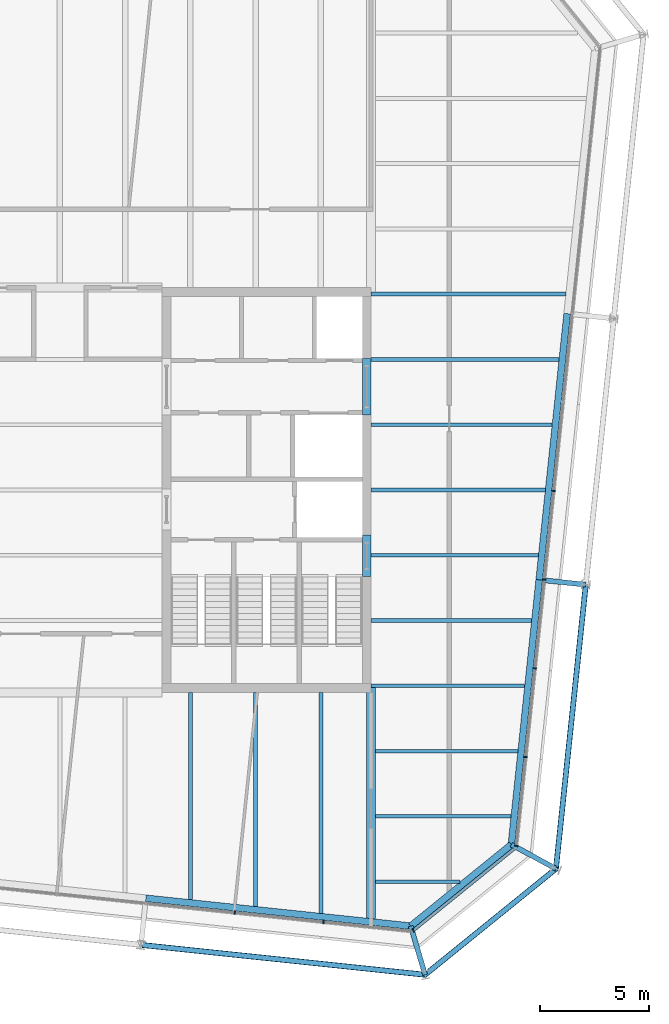
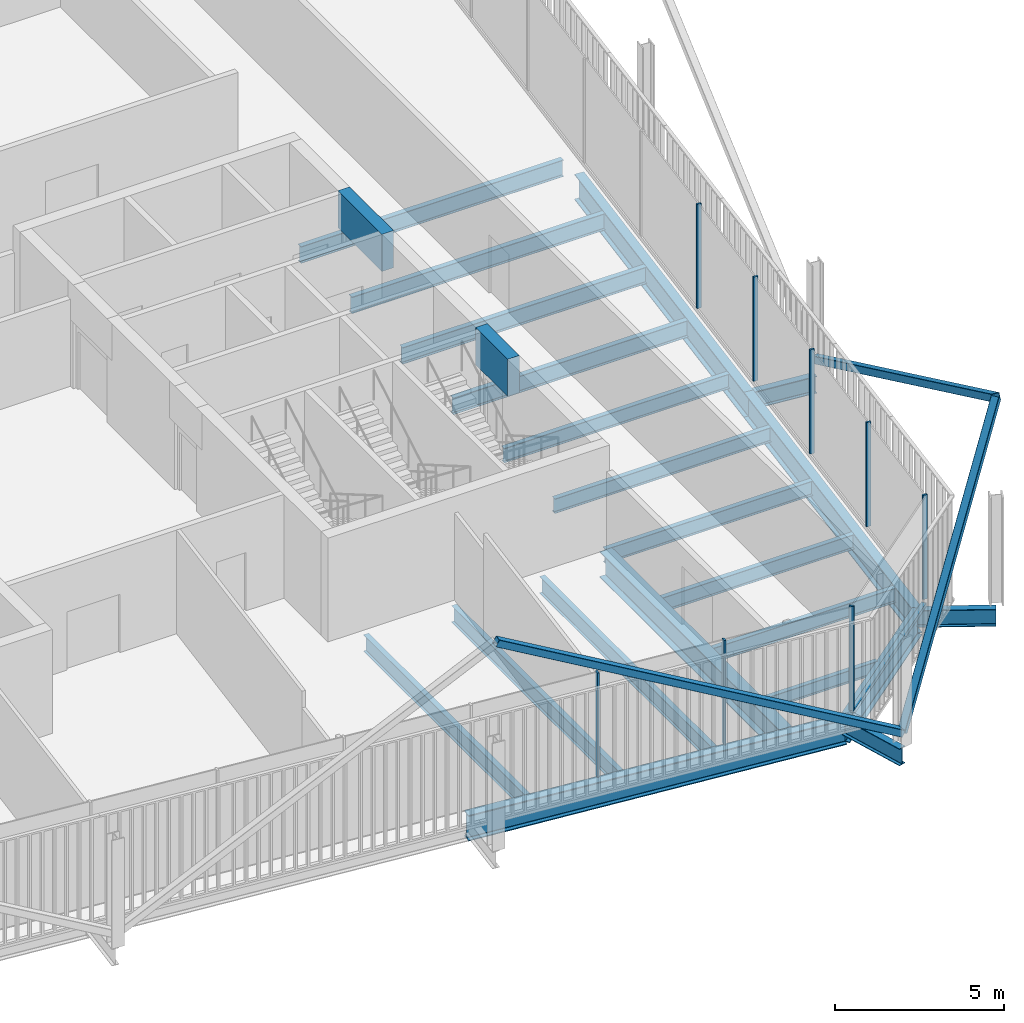
# One storey, part 9 of 21: 23 beams, 12 members, 3 elements without a shape of their own.
"""IFC4 building model written with IfcOpenShell, lengths in metres."""

from ifc_helpers import new_model, si_unit, direction, frame, origin, origin_2d, place, context, subcontext, project, spatial, rectangle, hollow_rectangle, i_section, extrude, material, layer, layer_set, material_profile, profile_set, type_object, element, aggregate, save


model = new_model("IFC4")

# Units and contexts
model_context = context("Model", 3, precision=1e-05, world=origin(), true_north=direction((0.0, 1.0)))
body_context = subcontext(model_context, "Body", "Model", "MODEL_VIEW")
ifc_project = project(units=[si_unit("LENGTHUNIT", "METRE"), si_unit("AREAUNIT", "SQUARE_METRE"), si_unit("VOLUMEUNIT", "CUBIC_METRE"), si_unit("PLANEANGLEUNIT", "RADIAN"), si_unit("MASSUNIT", "GRAM", prefix="KILO")], contexts=[model_context])

# Site, building, storey
site_placement = place(None, origin())
site = spatial("IfcSite", under=ifc_project, at=site_placement, CompositionType="ELEMENT")
building_placement = place(site_placement, origin())
building = spatial("IfcBuilding", under=site, at=building_placement, Name="Millrace Tower", CompositionType="ELEMENT")
storey_placement = place(building_placement, frame((0.0, 0.0, 291.60009765625)))
storey = spatial("IfcBuildingStorey", under=building, at=storey_placement, Name="L67", CompositionType="ELEMENT", Elevation=291.60009765625)

# Curtain wall, members
ifc_material_1 = material(Name="Aluminium and glass", Category="aluminium")
ifc_layer = layer(ifc_material_1, 0.14990234375)
ifc_layer_set = layer_set([ifc_layer], Name="Aluminium and glass")
curtain_wall_type = type_object("IfcCurtainWallType", Name="CW-1 office vision curtain wall", PredefinedType="NOTDEFINED", material=ifc_layer_set)
placement = place(storey_placement, origin())
curtain_wall_1 = element("IfcCurtainWall", 1, at=placement, inside=storey, type_object=curtain_wall_type, Name="Curtain wall E-F02 L67", PredefinedType="NOTDEFINED")
ifc_material_2 = material(Name="Aluminium", Category="aluminium")
ifc_material_profile_1 = material_profile(ifc_material_2, rectangle(XDim=0.06494140625, YDim=0.14990234375, at=origin_2d()))
ifc_profile_set_1 = profile_set([ifc_material_profile_1], Name="Aluminium")
member_type_1 = type_object("IfcMemberType", Name="CW-1 office vision curtain wall mullion", PredefinedType="MULLION", material=ifc_profile_set_1)
member_1_placement = place(storey_placement, frame((8.040283203125, -19.4248046875, 0.139892578125), z_axis=(0.0, 0.0, 1.0), x_axis=(0.994521896217, -0.104528455196, 0.0)))
member_1 = element("IfcMember", 2, at=member_1_placement, type_object=member_type_1, Name="CW1 mullion E-F02.8", PredefinedType="MULLION", context=body_context, shape_type="SweptSolid", body=[
    extrude(rectangle(XDim=0.06494140625, YDim=0.14990234375, at=origin_2d()), origin(), (0.0, 0.0, 1.0), 3.760009765625),
])
member_2_placement = place(storey_placement, frame((12.117919921875, -19.853271484375, 0.139892578125), z_axis=(0.0, 0.0, 1.0), x_axis=(0.994521896217, -0.104528455196, 0.0)))
member_2 = element("IfcMember", 3, at=member_2_placement, type_object=member_type_1, Name="CW1 mullion E-F02.9", PredefinedType="MULLION", context=body_context, shape_type="SweptSolid", body=[
    extrude(rectangle(XDim=0.06494140625, YDim=0.14990234375, at=origin_2d()), origin(), (0.0, 0.0, 1.0), 3.760009765625),
])
aggregate(curtain_wall_1, [member_1, member_2])

# Curtain wall, member
curtain_wall_2 = element("IfcCurtainWall", 4, at=placement, inside=storey, type_object=curtain_wall_type, Name="Curtain wall E-F03 L67", PredefinedType="NOTDEFINED")
member_3_placement = place(storey_placement, frame((16.243408203125, -20.24169921875, 0.139892578125), z_axis=(0.0, 0.0, 1.0), x_axis=(0.777146052237, 0.629320278945, 0.0)))
member_3 = element("IfcMember", 5, at=member_3_placement, type_object=member_type_1, Name="CW1 mullion E-F03.1", PredefinedType="MULLION", context=body_context, shape_type="SweptSolid", body=[
    extrude(rectangle(XDim=0.06494140625, YDim=0.14990234375, at=origin_2d()), origin(), (0.0, 0.0, 1.0), 3.760009765625),
])

# Curtain wall, members
curtain_wall_3 = element("IfcCurtainWall", 6, at=placement, inside=storey, type_object=curtain_wall_type, Name="Curtain wall E-F04 L67", PredefinedType="NOTDEFINED")
member_4_placement = place(storey_placement, frame((20.974853515625, -16.3525390625, 0.139892578125), z_axis=(0.0, 0.0, 1.0), x_axis=(0.104528455196, 0.994521896217, 0.0)))
member_4 = element("IfcMember", 7, at=member_4_placement, type_object=member_type_1, Name="CW1 mullion E-F04.1", PredefinedType="MULLION", context=body_context, shape_type="SweptSolid", body=[
    extrude(rectangle(XDim=0.06494140625, YDim=0.14990234375, at=origin_2d()), origin(), (0.0, 0.0, 1.0), 3.760009765625),
])
member_5_placement = place(storey_placement, frame((21.4033203125, -12.27490234375, 0.139892578125), z_axis=(0.0, 0.0, 1.0), x_axis=(0.104528455196, 0.994521896217, 0.0)))
member_5 = element("IfcMember", 8, at=member_5_placement, type_object=member_type_1, Name="CW1 mullion E-F04.2", PredefinedType="MULLION", context=body_context, shape_type="SweptSolid", body=[
    extrude(rectangle(XDim=0.06494140625, YDim=0.14990234375, at=origin_2d()), origin(), (0.0, 0.0, 1.0), 3.760009765625),
])
member_6_placement = place(storey_placement, frame((21.83203125, -8.197509765625, 0.139892578125), z_axis=(0.0, 0.0, 1.0), x_axis=(0.104528455196, 0.994521896217, 0.0)))
member_6 = element("IfcMember", 9, at=member_6_placement, type_object=member_type_1, Name="CW1 mullion E-F04.3", PredefinedType="MULLION", context=body_context, shape_type="SweptSolid", body=[
    extrude(rectangle(XDim=0.06494140625, YDim=0.14990234375, at=origin_2d()), origin(), (0.0, 0.0, 1.0), 3.760009765625),
])
member_7_placement = place(storey_placement, frame((22.260498046875, -4.119873046875, 0.139892578125), z_axis=(0.0, 0.0, 1.0), x_axis=(0.104528455196, 0.994521896217, 0.0)))
member_7 = element("IfcMember", 10, at=member_7_placement, type_object=member_type_1, Name="CW1 mullion E-F04.4", PredefinedType="MULLION", context=body_context, shape_type="SweptSolid", body=[
    extrude(rectangle(XDim=0.06494140625, YDim=0.14990234375, at=origin_2d()), origin(), (0.0, 0.0, 1.0), 3.760009765625),
])
member_8_placement = place(storey_placement, frame((22.68896484375, -0.042236328125, 0.139892578125), z_axis=(0.0, 0.0, 1.0), x_axis=(0.104528455196, 0.994521896217, 0.0)))
member_8 = element("IfcMember", 11, at=member_8_placement, type_object=member_type_1, Name="CW1 mullion E-F04.5", PredefinedType="MULLION", context=body_context, shape_type="SweptSolid", body=[
    extrude(rectangle(XDim=0.06494140625, YDim=0.14990234375, at=origin_2d()), origin(), (0.0, 0.0, 1.0), 3.760009765625),
])
aggregate(curtain_wall_3, [member_4, member_5, member_6, member_7, member_8])

# Member
ifc_material_3 = material(Name="Aluminium", Category="aluminium")
ifc_material_profile_2 = material_profile(ifc_material_3, rectangle(XDim=0.14990234375, YDim=0.139892578125, at=origin_2d()))
ifc_profile_set_2 = profile_set([ifc_material_profile_2], Name="Aluminium")
member_type_2 = type_object("IfcMemberType", Name="CW-1 office vision curtain wall transom", PredefinedType="USERDEFINED", material=ifc_profile_set_2)
member_9_placement = place(storey_placement, frame((16.2958984375, -20.19921875, 0.06982421875), z_axis=(0.77714915117, 0.629316452061, 0.0), x_axis=(-0.629316452061, 0.77714915117, 0.0)))
member_9 = element("IfcMember", 12, at=member_9_placement, type_object=member_type_2, Name="CW1 transom E-F03.1", ObjectType="TRANSOM", PredefinedType="USERDEFINED", context=body_context, shape_type="SweptSolid", body=[
    extrude(rectangle(XDim=0.14990234375, YDim=0.139892578125, at=origin_2d()), origin(), (0.0, 0.0, 1.0), 5.880859375),
])

aggregate(curtain_wall_2, [member_3, member_9])

# Beams
ifc_material_4 = material(Name="Concrete C60", Category="concrete")
ifc_material_profile_3 = material_profile(ifc_material_4, rectangle(XDim=0.39990234375, YDim=1.340087890625, at=origin_2d()))
ifc_profile_set_3 = profile_set([ifc_material_profile_3], Name="Concrete C60")
beam_type_1 = type_object("IfcBeamType", Name="Coupling beam 400 x 1340 Concrete C60, 1300 opening", PredefinedType="BEAM", material=ifc_profile_set_3)
beam_1_placement = place(storey_placement, frame((14.10009765625, -2.080078125, 3.06982421875), z_axis=(0.0, -1.0, 0.0), x_axis=(1.0, 0.0, 0.0)))
element("IfcBeam", 13, at=beam_1_placement, inside=storey, type_object=beam_type_1, Name="Coupling beam E L67", PredefinedType="BEAM", context=body_context, shape_type="SweptSolid", body=[
    extrude(rectangle(XDim=0.39990234375, YDim=1.340087890625, at=origin_2d()), origin(), (0.0, 0.0, 1.0), 1.89990234375),
])
ifc_material_5 = material(Name="Concrete C60", Category="concrete")
ifc_material_profile_4 = material_profile(ifc_material_5, rectangle(XDim=0.39990234375, YDim=1.340087890625, at=origin_2d()))
ifc_profile_set_4 = profile_set([ifc_material_profile_4], Name="Concrete C60")
beam_type_2 = type_object("IfcBeamType", Name="Coupling beam 400 x 1340 Concrete C60, 2000 opening", PredefinedType="BEAM", material=ifc_profile_set_4)
beam_2_placement = place(storey_placement, frame((14.10009765625, 6.050048828125, 3.06982421875), z_axis=(0.0, -1.0, 0.0), x_axis=(1.0, 0.0, 0.0)))
element("IfcBeam", 14, at=beam_2_placement, inside=storey, type_object=beam_type_2, Name="Coupling beam E L67", PredefinedType="BEAM", context=body_context, shape_type="SweptSolid", body=[
    extrude(rectangle(XDim=0.39990234375, YDim=1.340087890625, at=origin_2d()), origin(), (0.0, 0.0, 1.0), 2.60009765625),
])

# Members
ifc_material_6 = material(Name="Steel ASTM A500 Grade C", Category="steel")
ifc_material_profile_5 = material_profile(ifc_material_6, hollow_rectangle(XDim=0.25390625, YDim=0.25390625, WallThickness=0.0126953125, InnerFilletRadius=0.00634765625, OuterFilletRadius=0.01904296875, at=origin_2d()))
ifc_profile_set_5 = profile_set([ifc_material_profile_5], Name="Steel ASTM A500 Grade C")
member_type_3 = type_object("IfcMemberType", Name="Exoskeleton brace HSS10x10x1/2", PredefinedType="BRACE", material=ifc_profile_set_5)
member_10_placement = place(storey_placement, frame((16.78564453125, -22.279541015625, 0.39990234375), z_axis=(-0.877568210125, 0.092238278747, 0.470495628578), x_axis=(-0.104530865473, -0.994521642883, 0.0)))
element("IfcMember", 15, at=member_10_placement, inside=storey, type_object=member_type_3, Name="BRC-E-L67-04", PredefinedType="BRACE", context=body_context, shape_type="SweptSolid", body=[
    extrude(hollow_rectangle(XDim=0.25390625, YDim=0.25390625, WallThickness=0.0126953125, InnerFilletRadius=0.00634765625, OuterFilletRadius=0.01904296875, at=origin_2d()), origin(), (0.0, 0.0, 1.0), 14.8779296875),
])
member_11_placement = place(storey_placement, frame((16.78564453125, -22.279541015625, 0.39990234375), z_axis=(0.576329152125, 0.466688099557, 0.670855369021), x_axis=(-0.629308952043, 0.777155224442, 0.0)))
element("IfcMember", 16, at=member_11_placement, inside=storey, type_object=member_type_3, Name="BRC-E-L67-05", PredefinedType="BRACE", context=body_context, shape_type="SweptSolid", body=[
    extrude(hollow_rectangle(XDim=0.25390625, YDim=0.25390625, WallThickness=0.0126953125, InnerFilletRadius=0.00634765625, OuterFilletRadius=0.01904296875, at=origin_2d()), origin(), (0.0, 0.0, 1.0), 10.434326171875),
])
member_12_placement = place(storey_placement, frame((24.171630859375, -4.353271484375, 0.39990234375), z_axis=(-0.092236950483, -0.877571982182, 0.470488853274), x_axis=(0.994521846076, -0.104528932251, 0.0)))
element("IfcMember", 17, at=member_12_placement, inside=storey, type_object=member_type_3, Name="BRC-E-L67-06", PredefinedType="BRACE", context=body_context, shape_type="SweptSolid", body=[
    extrude(hollow_rectangle(XDim=0.25390625, YDim=0.25390625, WallThickness=0.0126953125, InnerFilletRadius=0.00634765625, OuterFilletRadius=0.01904296875, at=origin_2d()), origin(), (0.0, 0.0, 1.0), 14.878173828125),
])

# Beams
ifc_material_7 = material(Name="Steel ASTM A992 Grade 50", Category="steel")
ifc_material_profile_6 = material_profile(ifc_material_7, i_section(OverallWidth=0.15234375, OverallDepth=0.449462890625, WebThickness=0.007568359375, FlangeThickness=0.0107421875, FilletRadius=0.01025390625, at=origin_2d()))
ifc_profile_set_6 = profile_set([ifc_material_profile_6], Name="Steel ASTM A992 Grade 50")
beam_type_3 = type_object("IfcBeamType", Name="Floor beam W18x35", PredefinedType="JOIST", material=ifc_profile_set_6)
beam_3_placement = place(storey_placement, frame((14.509521484375, -18.0, -0.384765625), z_axis=(1.0, 0.0, 0.0), x_axis=(0.0, 1.0, 0.0)))
element("IfcBeam", 18, at=beam_3_placement, inside=storey, type_object=beam_type_3, Name="BM-E-L67-S1-S001", PredefinedType="JOIST", context=body_context, shape_type="SweptSolid", body=[
    extrude(i_section(OverallWidth=0.15234375, OverallDepth=0.449462890625, WebThickness=0.007568359375, FlangeThickness=0.0107421875, FilletRadius=0.01025390625, at=origin_2d()), origin(), (0.0, 0.0, 1.0), 3.87060546875),
])
ifc_material_8 = material(Name="Steel ASTM A992 Grade 50", Category="steel")
ifc_material_profile_7 = material_profile(ifc_material_8, i_section(OverallWidth=0.1650390625, OverallDepth=0.52587890625, WebThickness=0.0087890625, FlangeThickness=0.011474609375, FilletRadius=0.0126953125, at=origin_2d()))
ifc_profile_set_7 = profile_set([ifc_material_profile_7], Name="Steel ASTM A992 Grade 50")
beam_type_4 = type_object("IfcBeamType", Name="Floor beam W21x44", PredefinedType="JOIST", material=ifc_profile_set_7)
beam_4_placement = place(storey_placement, frame((14.509521484375, -15.0, -0.423095703125), z_axis=(1.0, 0.0, 0.0), x_axis=(0.0, 1.0, 0.0)))
element("IfcBeam", 19, at=beam_4_placement, inside=storey, type_object=beam_type_4, Name="BM-E-L67-S1-S003", PredefinedType="JOIST", context=body_context, shape_type="SweptSolid", body=[
    extrude(i_section(OverallWidth=0.1650390625, OverallDepth=0.52587890625, WebThickness=0.0087890625, FlangeThickness=0.011474609375, FilletRadius=0.0126953125, at=origin_2d()), origin(), (0.0, 0.0, 1.0), 6.222900390625),
])
beam_5_placement = place(storey_placement, frame((14.509521484375, -12.0, -0.423095703125), z_axis=(1.0, 0.0, 0.0), x_axis=(0.0, 1.0, 0.0)))
element("IfcBeam", 20, at=beam_5_placement, inside=storey, type_object=beam_type_4, Name="BM-E-L67-S1-S005", PredefinedType="JOIST", context=body_context, shape_type="SweptSolid", body=[
    extrude(i_section(OverallWidth=0.1650390625, OverallDepth=0.52587890625, WebThickness=0.0087890625, FlangeThickness=0.011474609375, FilletRadius=0.0126953125, at=origin_2d()), origin(), (0.0, 0.0, 1.0), 6.538330078125),
])
beam_6_placement = place(storey_placement, frame((14.300048828125, -9.0, -0.423095703125), z_axis=(1.0, 0.0, 0.0), x_axis=(0.0, 1.0, 0.0)))
element("IfcBeam", 21, at=beam_6_placement, inside=storey, type_object=beam_type_4, Name="BM-E-L67-S1-S007", PredefinedType="JOIST", context=body_context, shape_type="SweptSolid", body=[
    extrude(i_section(OverallWidth=0.1650390625, OverallDepth=0.52587890625, WebThickness=0.0087890625, FlangeThickness=0.011474609375, FilletRadius=0.0126953125, at=origin_2d()), origin(), (0.0, 0.0, 1.0), 7.06298828125),
])
beam_7_placement = place(storey_placement, frame((14.300048828125, -6.0, -0.423095703125), z_axis=(1.0, 0.0, 0.0), x_axis=(0.0, 1.0, 0.0)))
element("IfcBeam", 22, at=beam_7_placement, inside=storey, type_object=beam_type_4, Name="BM-E-L67-S1-S010", PredefinedType="JOIST", context=body_context, shape_type="SweptSolid", body=[
    extrude(i_section(OverallWidth=0.1650390625, OverallDepth=0.52587890625, WebThickness=0.0087890625, FlangeThickness=0.011474609375, FilletRadius=0.0126953125, at=origin_2d()), origin(), (0.0, 0.0, 1.0), 7.37841796875),
])
beam_8_placement = place(storey_placement, frame((14.300048828125, -3.0, -0.423095703125), z_axis=(1.0, 0.0, 0.0), x_axis=(0.0, 1.0, 0.0)))
element("IfcBeam", 23, at=beam_8_placement, inside=storey, type_object=beam_type_4, Name="BM-E-L67-S1-S013", PredefinedType="JOIST", context=body_context, shape_type="SweptSolid", body=[
    extrude(i_section(OverallWidth=0.1650390625, OverallDepth=0.52587890625, WebThickness=0.0087890625, FlangeThickness=0.011474609375, FilletRadius=0.0126953125, at=origin_2d()), origin(), (0.0, 0.0, 1.0), 7.693603515625),
])
ifc_material_9 = material(Name="Steel ASTM A992 Grade 50", Category="steel")
ifc_material_profile_8 = material_profile(ifc_material_9, i_section(OverallWidth=0.177978515625, OverallDepth=0.599365234375, WebThickness=0.010009765625, FlangeThickness=0.012939453125, FilletRadius=0.012939453125, at=origin_2d()))
ifc_profile_set_8 = profile_set([ifc_material_profile_8], Name="Steel ASTM A992 Grade 50")
beam_type_5 = type_object("IfcBeamType", Name="Floor beam W24x55", PredefinedType="JOIST", material=ifc_profile_set_8)
beam_9_placement = place(storey_placement, frame((14.300048828125, 0.0, -0.459716796875), z_axis=(1.0, 0.0, 0.0), x_axis=(0.0, 1.0, 0.0)))
element("IfcBeam", 24, at=beam_9_placement, inside=storey, type_object=beam_type_5, Name="BM-E-L67-S1-S016", PredefinedType="JOIST", context=body_context, shape_type="SweptSolid", body=[
    extrude(i_section(OverallWidth=0.177978515625, OverallDepth=0.599365234375, WebThickness=0.010009765625, FlangeThickness=0.012939453125, FilletRadius=0.012939453125, at=origin_2d()), origin(), (0.0, 0.0, 1.0), 8.009033203125),
])
beam_10_placement = place(storey_placement, frame((14.300048828125, 3.0, -0.459716796875), z_axis=(1.0, 0.0, 0.0), x_axis=(0.0, 1.0, 0.0)))
element("IfcBeam", 25, at=beam_10_placement, inside=storey, type_object=beam_type_5, Name="BM-E-L67-S1-S019", PredefinedType="JOIST", context=body_context, shape_type="SweptSolid", body=[
    extrude(i_section(OverallWidth=0.177978515625, OverallDepth=0.599365234375, WebThickness=0.010009765625, FlangeThickness=0.012939453125, FilletRadius=0.012939453125, at=origin_2d()), origin(), (0.0, 0.0, 1.0), 8.324462890625),
])
beam_11_placement = place(storey_placement, frame((14.300048828125, 6.0, -0.459716796875), z_axis=(1.0, 0.0, 0.0), x_axis=(0.0, 1.0, 0.0)))
element("IfcBeam", 26, at=beam_11_placement, inside=storey, type_object=beam_type_5, Name="BM-E-L67-S1-S022", PredefinedType="JOIST", context=body_context, shape_type="SweptSolid", body=[
    extrude(i_section(OverallWidth=0.177978515625, OverallDepth=0.599365234375, WebThickness=0.010009765625, FlangeThickness=0.012939453125, FilletRadius=0.012939453125, at=origin_2d()), origin(), (0.0, 0.0, 1.0), 8.6396484375),
])
beam_12_placement = place(storey_placement, frame((14.300048828125, 9.0, -0.459716796875), z_axis=(1.0, 0.0, 0.0), x_axis=(0.0, 1.0, 0.0)))
element("IfcBeam", 27, at=beam_12_placement, inside=storey, type_object=beam_type_5, Name="BM-E-L67-S1-S024", PredefinedType="JOIST", context=body_context, shape_type="SweptSolid", body=[
    extrude(i_section(OverallWidth=0.177978515625, OverallDepth=0.599365234375, WebThickness=0.010009765625, FlangeThickness=0.012939453125, FilletRadius=0.012939453125, at=origin_2d()), origin(), (0.0, 0.0, 1.0), 8.955078125),
])
beam_13_placement = place(storey_placement, frame((6.0, -18.825927734375, -0.459716796875), z_axis=(0.0, 1.0, 0.0), x_axis=(-1.0, 0.0, 0.0)))
element("IfcBeam", 28, at=beam_13_placement, inside=storey, type_object=beam_type_5, Name="BM-E-L67-S1-S049", PredefinedType="JOIST", context=body_context, shape_type="SweptSolid", body=[
    extrude(i_section(OverallWidth=0.177978515625, OverallDepth=0.599365234375, WebThickness=0.010009765625, FlangeThickness=0.012939453125, FilletRadius=0.012939453125, at=origin_2d()), origin(), (0.0, 0.0, 1.0), 9.52587890625),
])
beam_14_placement = place(storey_placement, frame((9.0, -19.14111328125, -0.459716796875), z_axis=(0.0, 1.0, 0.0), x_axis=(-1.0, 0.0, 0.0)))
element("IfcBeam", 29, at=beam_14_placement, inside=storey, type_object=beam_type_5, Name="BM-E-L67-S1-S051", PredefinedType="JOIST", context=body_context, shape_type="SweptSolid", body=[
    extrude(i_section(OverallWidth=0.177978515625, OverallDepth=0.599365234375, WebThickness=0.010009765625, FlangeThickness=0.012939453125, FilletRadius=0.012939453125, at=origin_2d()), origin(), (0.0, 0.0, 1.0), 9.841064453125),
])
ifc_material_10 = material(Name="Steel ASTM A992 Grade 50", Category="steel")
ifc_material_profile_9 = material_profile(ifc_material_10, i_section(OverallWidth=0.1787109375, OverallDepth=0.60205078125, WebThickness=0.010986328125, FlangeThickness=0.014892578125, FilletRadius=0.0126953125, at=origin_2d()))
ifc_profile_set_9 = profile_set([ifc_material_profile_9], Name="Steel ASTM A992 Grade 50")
beam_type_6 = type_object("IfcBeamType", Name="Floor beam W24x62", PredefinedType="JOIST", material=ifc_profile_set_9)
beam_15_placement = place(storey_placement, frame((12.0, -19.45654296875, -0.461181640625), z_axis=(0.0, 1.0, 0.0), x_axis=(-1.0, 0.0, 0.0)))
element("IfcBeam", 30, at=beam_15_placement, inside=storey, type_object=beam_type_6, Name="BM-E-L67-S1-S053", PredefinedType="JOIST", context=body_context, shape_type="SweptSolid", body=[
    extrude(i_section(OverallWidth=0.1787109375, OverallDepth=0.60205078125, WebThickness=0.010986328125, FlangeThickness=0.014892578125, FilletRadius=0.0126953125, at=origin_2d()), origin(), (0.0, 0.0, 1.0), 10.156494140625),
])
ifc_material_11 = material(Name="Steel ASTM A992 Grade 50", Category="steel")
ifc_material_profile_10 = material_profile(ifc_material_11, i_section(OverallWidth=0.419189453125, OverallDepth=0.927001953125, WebThickness=0.019287109375, FlangeThickness=0.031982421875, FilletRadius=0.024169921875, at=origin_2d()))
ifc_profile_set_10 = profile_set([ifc_material_profile_10], Name="Steel ASTM A992 Grade 50")
beam_type_7 = type_object("IfcBeamType", Name="Girder short span W36x231", PredefinedType="BEAM", material=ifc_profile_set_10)
beam_16_placement = place(storey_placement, frame((14.300048828125, -19.6982421875, -0.62353515625), z_axis=(0.0, 1.0, 0.0), x_axis=(-1.0, 0.0, 0.0)))
element("IfcBeam", 31, at=beam_16_placement, inside=storey, type_object=beam_type_7, Name="BM-E-L67-S1-G057", PredefinedType="BEAM", context=body_context, shape_type="SweptSolid", body=[
    extrude(i_section(OverallWidth=0.419189453125, OverallDepth=0.927001953125, WebThickness=0.019287109375, FlangeThickness=0.031982421875, FilletRadius=0.024169921875, at=origin_2d()), origin(), (0.0, 0.0, 1.0), 10.6142578125),
])
ifc_material_12 = material(Name="Steel ASTM A992 Grade 50", Category="steel")
ifc_material_profile_11 = material_profile(ifc_material_12, i_section(OverallWidth=0.23046875, OverallDepth=0.6171875, WebThickness=0.01318359375, FlangeThickness=0.022216796875, FilletRadius=0.012939453125, at=origin_2d()))
ifc_profile_set_11 = profile_set([ifc_material_profile_11], Name="Steel ASTM A992 Grade 50")
beam_type_8 = type_object("IfcBeamType", Name="Link beam W24x94", PredefinedType="BEAM", material=ifc_profile_set_11)
beam_17_placement = place(storey_placement, frame((22.1826171875, -4.144287109375, -0.46875), z_axis=(0.99452550138, -0.104494148666, 0.0), x_axis=(0.104494148666, 0.99452550138, 0.0)))
element("IfcBeam", 32, at=beam_17_placement, inside=storey, type_object=beam_type_8, Name="LNK-E-L67-S1-11", PredefinedType="BEAM", context=body_context, shape_type="SweptSolid", body=[
    extrude(i_section(OverallWidth=0.23046875, OverallDepth=0.6171875, WebThickness=0.01318359375, FlangeThickness=0.022216796875, FilletRadius=0.012939453125, at=origin_2d()), origin(), (0.0, 0.0, 1.0), 2.0),
])
for number, where, z_axis, x_axis, name in (
    (33, (20.750732421875, -16.297607421875, -0.46875), (0.87881453358, -0.477163510307, 0.0), (0.477163510307, 0.87881453358, 0.0), "LNK-E-L67-S1-12"),
    (34, (16.123779296875, -20.04443359375, -0.46875), (0.283934988541, -0.958843533785, 0.0), (0.958843533785, 0.283934988541, 0.0), "LNK-E-L67-S1-13"),
):
    element("IfcBeam", number, at=place(storey_placement, frame(where, z_axis=z_axis, x_axis=x_axis)), inside=storey, type_object=beam_type_8, Name=name, PredefinedType="BEAM", context=body_context, shape_type="SweptSolid", body=[
        extrude(i_section(OverallWidth=0.23046875, OverallDepth=0.6171875, WebThickness=0.01318359375, FlangeThickness=0.022216796875, FilletRadius=0.012939453125, at=origin_2d()), origin(), (0.0, 0.0, 1.0), 2.3310546875),
    ])
ifc_material_13 = material(Name="Steel ASTM A992 Grade 50", Category="steel")
ifc_material_profile_12 = material_profile(ifc_material_13, i_section(OverallWidth=0.307373046875, OverallDepth=0.927001953125, WebThickness=0.01953125, FlangeThickness=0.031982421875, FilletRadius=0.01904296875, at=origin_2d()))
ifc_profile_set_12 = profile_set([ifc_material_profile_12], Name="Steel ASTM A992 Grade 50")
beam_type_9 = type_object("IfcBeamType", Name="Ring beam medium span W36x194", PredefinedType="SPANDREL", material=ifc_profile_set_12)
beam_18_placement = place(storey_placement, frame((23.3154296875, 8.104248046875, -0.62353515625), z_axis=(-0.10452566363, -0.994522189618, 0.0), x_axis=(0.994522189618, -0.10452566363, 0.0)))
element("IfcBeam", 35, at=beam_18_placement, inside=storey, type_object=beam_type_9, Name="RNG-E-L67-S1-10", PredefinedType="SPANDREL", context=body_context, shape_type="SweptSolid", body=[
    extrude(i_section(OverallWidth=0.307373046875, OverallDepth=0.927001953125, WebThickness=0.01953125, FlangeThickness=0.031982421875, FilletRadius=0.01904296875, at=origin_2d()), origin(), (0.0, 0.0, 1.0), 12.2998046875),
])
for number, where, z_axis, x_axis, name in (
    (36, (22.02978515625, -4.128173828125, -0.62353515625), (-0.104527955888, -0.994521948696, 0.0), (0.994521948696, -0.104527955888, 0.0), "RNG-E-L67-S1-11"),
    (37, (16.123779296875, -20.04443359375, -0.62353515625), (-0.994521948696, 0.104527955888, 0.0), (-0.104527955888, -0.994521948696, 0.0), "RNG-E-L67-S1-13"),
):
    element("IfcBeam", number, at=place(storey_placement, frame(where, z_axis=z_axis, x_axis=x_axis)), inside=storey, type_object=beam_type_9, Name=name, PredefinedType="SPANDREL", context=body_context, shape_type="SweptSolid", body=[
        extrude(i_section(OverallWidth=0.307373046875, OverallDepth=0.927001953125, WebThickness=0.01953125, FlangeThickness=0.031982421875, FilletRadius=0.01904296875, at=origin_2d()), origin(), (0.0, 0.0, 1.0), 12.236572265625),
    ])
ifc_material_14 = material(Name="Steel ASTM A992 Grade 50", Category="steel")
ifc_material_profile_13 = material_profile(ifc_material_14, i_section(OverallWidth=0.307373046875, OverallDepth=0.927001953125, WebThickness=0.01953125, FlangeThickness=0.031982421875, FilletRadius=0.01904296875, at=origin_2d()))
ifc_profile_set_13 = profile_set([ifc_material_profile_13], Name="Steel ASTM A992 Grade 50")
beam_type_10 = type_object("IfcBeamType", Name="Ring beam short span W36x194", PredefinedType="SPANDREL", material=ifc_profile_set_13)
beam_19_placement = place(storey_placement, frame((20.750732421875, -16.297607421875, -0.62353515625), z_axis=(-0.777146502883, -0.629319722443, 0.0), x_axis=(0.629319722443, -0.777146502883, 0.0)))
element("IfcBeam", 38, at=beam_19_placement, inside=storey, type_object=beam_type_10, Name="RNG-E-L67-S1-12", PredefinedType="SPANDREL", context=body_context, shape_type="SweptSolid", body=[
    extrude(i_section(OverallWidth=0.307373046875, OverallDepth=0.927001953125, WebThickness=0.01953125, FlangeThickness=0.031982421875, FilletRadius=0.01904296875, at=origin_2d()), origin(), (0.0, 0.0, 1.0), 5.953857421875),
])

save(model, "model.ifc")
